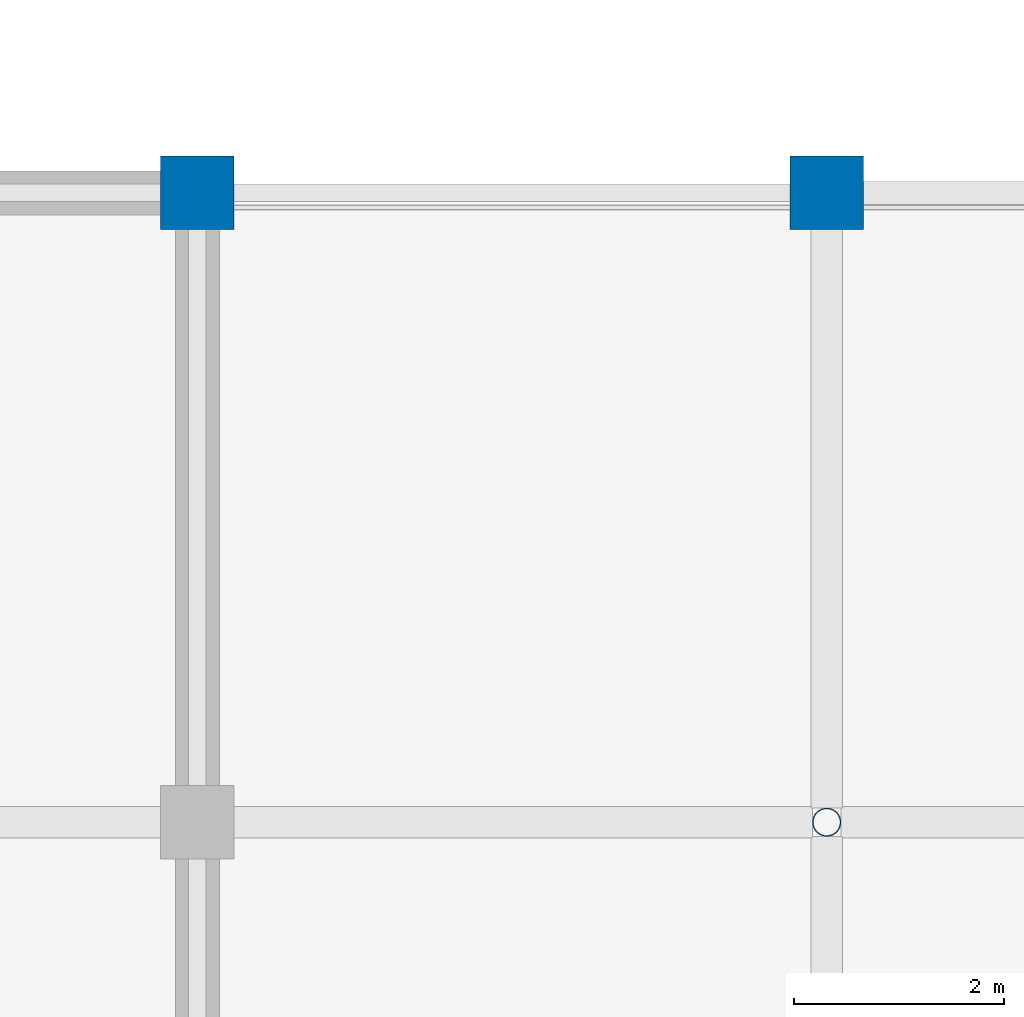
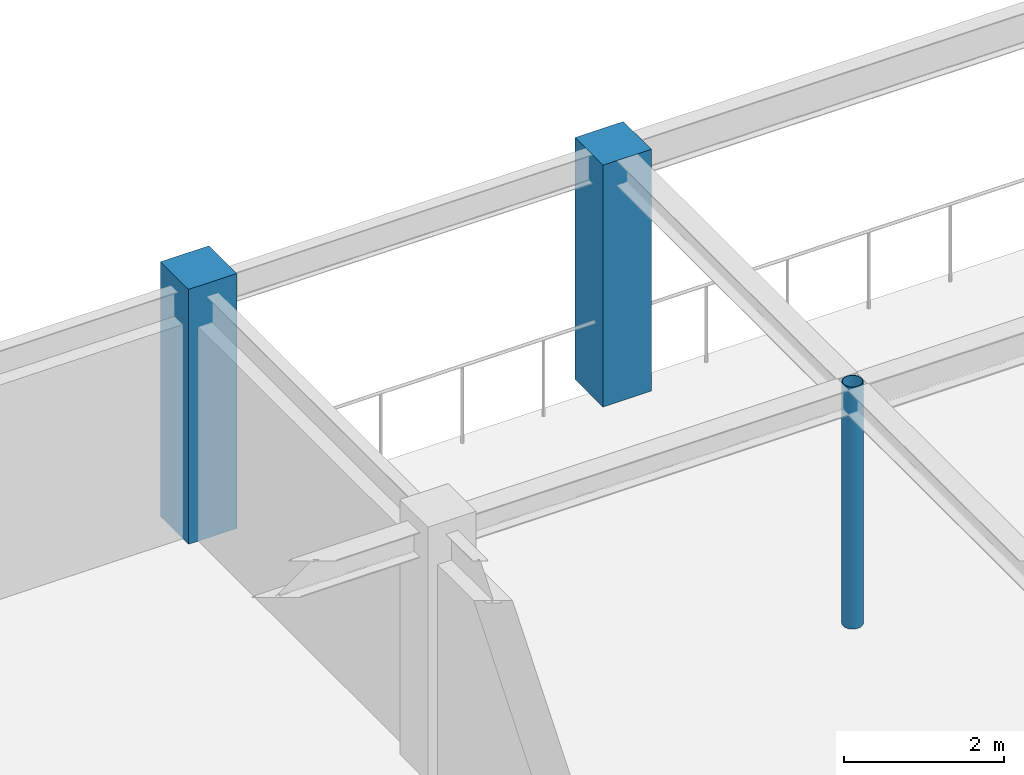
# One storey, part 7 of 25: 3 columns.
"""IFC4 building model written with IfcOpenShell, lengths in metres."""

from ifc_helpers import new_model, si_unit, direction, frame, origin, origin_2d, place, context, subcontext, project, spatial, rectangle, hollow_circle, extrude, material, material_profile, profile_set, type_object, element, save


model = new_model("IFC4")

# Units and contexts
model_context = context("Model", 3, precision=1e-05, world=origin(), true_north=direction((0.0, 1.0)))
body_context = subcontext(model_context, "Body", "Model", "MODEL_VIEW")
ifc_project = project(units=[si_unit("LENGTHUNIT", "METRE"), si_unit("AREAUNIT", "SQUARE_METRE"), si_unit("VOLUMEUNIT", "CUBIC_METRE"), si_unit("PLANEANGLEUNIT", "RADIAN"), si_unit("MASSUNIT", "GRAM", prefix="KILO")], contexts=[model_context])

# Site, building, storey
site_placement = place(None, origin())
site = spatial("IfcSite", under=ifc_project, at=site_placement, CompositionType="ELEMENT")
building_placement = place(site_placement, origin())
building = spatial("IfcBuilding", under=site, at=building_placement, Name="Zlatovratsky Civic Hall", CompositionType="ELEMENT")
storey_placement = place(building_placement, frame((0.0, 0.0, 21.0)))
storey = spatial("IfcBuildingStorey", under=building, at=storey_placement, Name="L05", CompositionType="ELEMENT", Elevation=21.0)

# Columns
ifc_material_1 = material(Name="Concrete C35/45 (B40)", Category="concrete")
ifc_material_profile_1 = material_profile(ifc_material_1, rectangle(XDim=0.699951171875, YDim=0.699951171875, at=origin_2d()), Name="RC 700x700")
ifc_profile_set_1 = profile_set([ifc_material_profile_1], Name="Concrete C35/45 (B40)")
column_type_1 = type_object("IfcColumnType", Name="Col_CorePier_RC700", PredefinedType="COLUMN", material=ifc_profile_set_1)
column_1_placement = place(storey_placement, frame((114.0, 108.0, 0.0), z_axis=(0.0, 0.0, 1.0), x_axis=(1.0, 0.0, 0.0)))
element("IfcColumn", 1, at=column_1_placement, inside=storey, type_object=column_type_1, Name="CL-2015", PredefinedType="COLUMN", context=body_context, shape_type="SweptSolid", body=[
    extrude(rectangle(XDim=0.699951171875, YDim=0.699951171875, at=origin_2d()), origin(), (0.0, 0.0, 1.0), 3.89990234375),
])
column_2_placement = place(storey_placement, frame((120.0, 108.0, 0.0), z_axis=(0.0, 0.0, 1.0), x_axis=(1.0, 0.0, 0.0)))
element("IfcColumn", 2, at=column_2_placement, inside=storey, type_object=column_type_1, Name="CL-2016", PredefinedType="COLUMN", context=body_context, shape_type="SweptSolid", body=[
    extrude(rectangle(XDim=0.699951171875, YDim=0.699951171875, at=origin_2d()), origin(), (0.0, 0.0, 1.0), 3.699951171875),
])
ifc_material_2 = material(Name="Steel S355", Category="steel")
ifc_material_profile_2 = material_profile(ifc_material_2, hollow_circle(Radius=0.136474609375, WallThickness=0.010009765625, at=origin_2d()), Name="CHS 273x10")
ifc_profile_set_2 = profile_set([ifc_material_profile_2], Name="Steel S355")
column_type_2 = type_object("IfcColumnType", Name="Col_Portico_CHS273", PredefinedType="COLUMN", material=ifc_profile_set_2)
column_3_placement = place(storey_placement, frame((120.0, 102.0, 0.0), z_axis=(0.0, 0.0, 1.0), x_axis=(1.0, 0.0, 0.0)))
element("IfcColumn", 3, at=column_3_placement, inside=storey, type_object=column_type_2, Name="CL-2001", PredefinedType="COLUMN", context=body_context, shape_type="SweptSolid", body=[
    extrude(hollow_circle(Radius=0.136474609375, WallThickness=0.010009765625, at=origin_2d()), origin(), (0.0, 0.0, 1.0), 3.699951171875),
])

save(model, "model.ifc")
